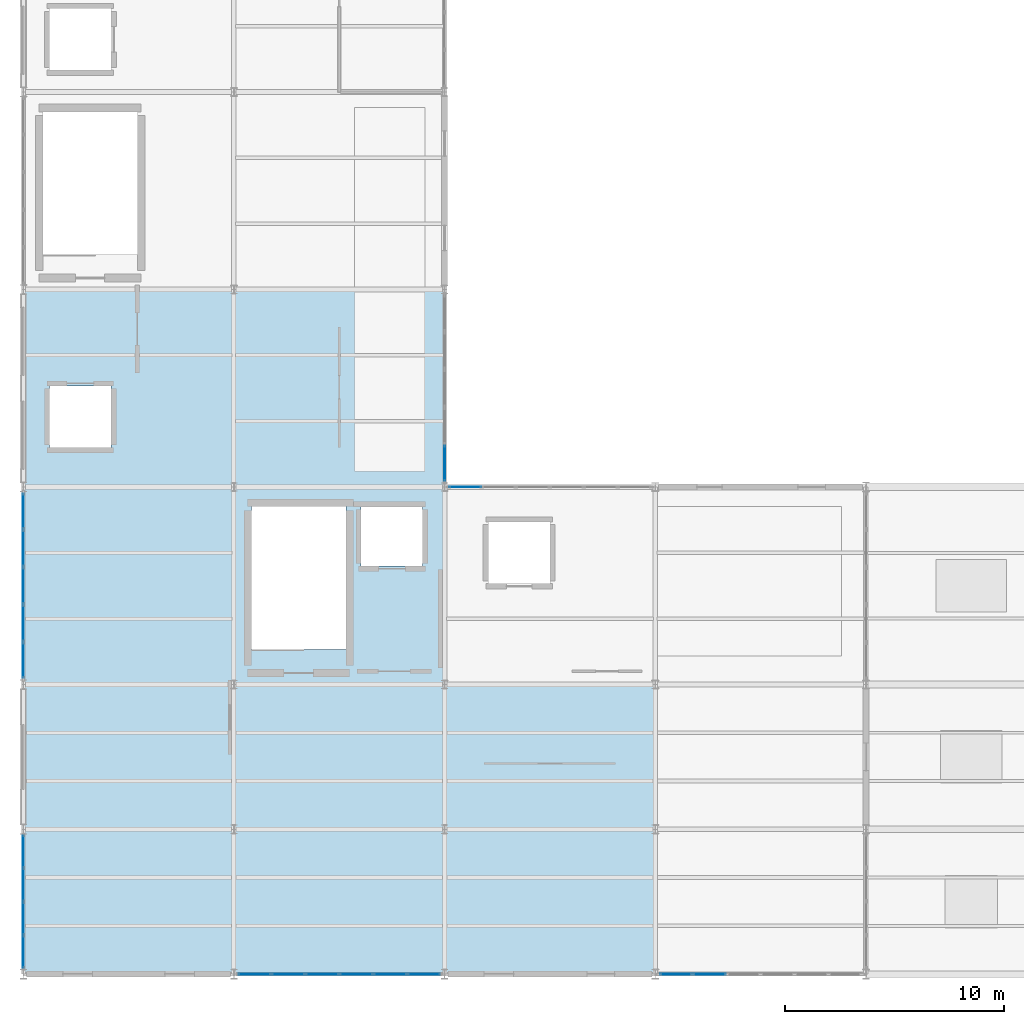
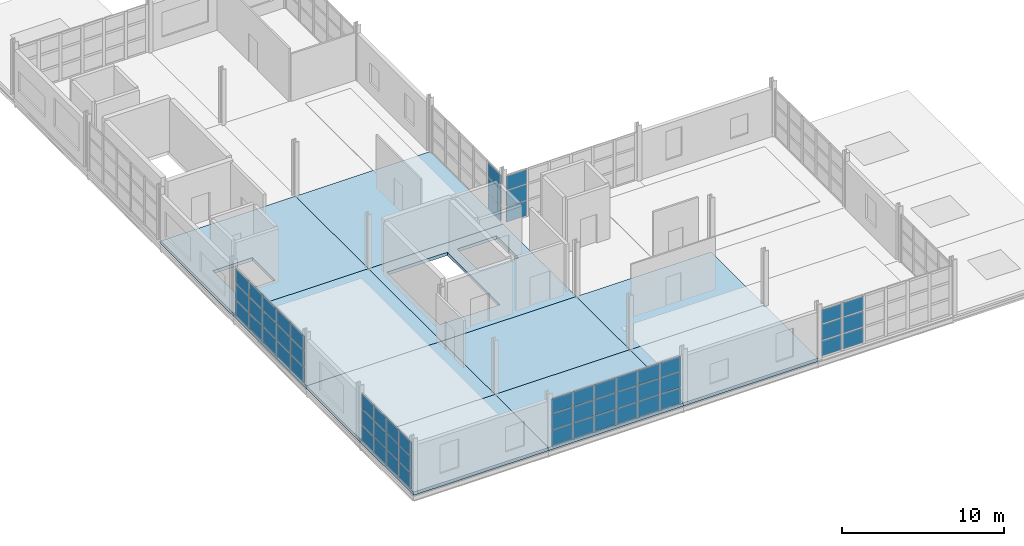
# One storey, part 10 of 15: 57 plates, 10 slabs, 6 elements without a shape of their own.
"""IFC4 building model written with IfcOpenShell, lengths in metres."""

from ifc_helpers import new_model, si_unit, direction, frame, origin, origin_2d, place, context, subcontext, project, spatial, polyline, rectangle, outline, extrude, material, layer, layer_set, type_object, element, aggregate, save


model = new_model("IFC4")

# Units and contexts
model_context = context("Model", 3, precision=1e-05, world=origin(), true_north=direction((0.0, 1.0)))
body_context = subcontext(model_context, "Body", "Model", "MODEL_VIEW")
ifc_project = project(units=[si_unit("LENGTHUNIT", "METRE"), si_unit("AREAUNIT", "SQUARE_METRE"), si_unit("VOLUMEUNIT", "CUBIC_METRE"), si_unit("PLANEANGLEUNIT", "RADIAN"), si_unit("MASSUNIT", "GRAM", prefix="KILO")], contexts=[model_context])

# Site, building, storey
site_placement = place(None, origin())
site = spatial("IfcSite", under=ifc_project, at=site_placement, CompositionType="ELEMENT")
building_placement = place(site_placement, origin())
building = spatial("IfcBuilding", under=site, at=building_placement, Name="Zarnetskaya Central Station", CompositionType="ELEMENT")
storey_placement = place(building_placement, frame((0.0, 0.0, 22.800048828125)))
storey = spatial("IfcBuildingStorey", under=building, at=storey_placement, Name="L05", CompositionType="ELEMENT", Elevation=22.800048828125)

# Curtain wall, plates
ifc_material_1 = material(Name="Low-E insulated glass", Category="glass")
ifc_layer_1 = layer(ifc_material_1, 0.1640625, Name="Low-E insulated glass", Category="glass")
ifc_layer_set_1 = layer_set([ifc_layer_1], Name="Low-E insulated glass")
curtain_wall_type_1 = type_object("IfcCurtainWallType", Name="CW-SYS-07", PredefinedType="USERDEFINED", material=ifc_layer_set_1)
curtain_wall_1_placement = place(storey_placement, origin())
curtain_wall_1 = element("IfcCurtainWall", 1, at=curtain_wall_1_placement, inside=storey, type_object=curtain_wall_type_1, Name="Curtain wall CW-L05-072", ObjectType="CURTAIN WALL", PredefinedType="USERDEFINED")
ifc_layer_2 = layer(ifc_material_1, 0.035888671875, Name="Low-E insulated glass", Category="glass")
ifc_layer_set_2 = layer_set([ifc_layer_2], Name="Low-E insulated glass")
plate_type_1 = type_object("IfcPlateType", Name="CW-PAN-36", PredefinedType="CURTAIN_PANEL", material=ifc_layer_set_2)
plate_1_placement = place(storey_placement, frame((31.27490234375, 0.0, 0.080078125), z_axis=(0.0, 0.0, 1.0), x_axis=(-1.0, 0.0, 0.0)))
plate_1 = element("IfcPlate", 2, at=plate_1_placement, type_object=plate_type_1, Name="CW-06 panel 5.1", PredefinedType="CURTAIN_PANEL", context=body_context, shape_type="SweptSolid", body=[
    extrude(rectangle(XDim=1.469970703125, YDim=0.035888671875, at=origin_2d()), origin(), (0.0, 0.0, 1.0), 1.117919921875),
])
plate_2_placement = place(storey_placement, frame((31.27490234375, 0.0, 1.27783203125), z_axis=(0.0, 0.0, 1.0), x_axis=(-1.0, 0.0, 0.0)))
plate_2 = element("IfcPlate", 3, at=plate_2_placement, type_object=plate_type_1, Name="CW-06 panel 5.2", PredefinedType="CURTAIN_PANEL", context=body_context, shape_type="SweptSolid", body=[
    extrude(rectangle(XDim=1.469970703125, YDim=0.035888671875, at=origin_2d()), origin(), (0.0, 0.0, 1.0), 1.156982421875),
])
plate_3_placement = place(storey_placement, frame((31.27490234375, 0.0, 2.514892578125), z_axis=(0.0, 0.0, 1.0), x_axis=(-1.0, 0.0, 0.0)))
plate_3 = element("IfcPlate", 4, at=plate_3_placement, type_object=plate_type_1, Name="CW-06 panel 5.3", PredefinedType="CURTAIN_PANEL", context=body_context, shape_type="SweptSolid", body=[
    extrude(rectangle(XDim=1.469970703125, YDim=0.035888671875, at=origin_2d()), origin(), (0.0, 0.0, 1.0), 1.044921875),
])
plate_4_placement = place(storey_placement, frame((29.7451171875, 0.0, 0.080078125), z_axis=(0.0, 0.0, 1.0), x_axis=(-1.0, 0.0, 0.0)))
plate_4 = element("IfcPlate", 5, at=plate_4_placement, type_object=plate_type_1, Name="CW-06 panel 6.1", PredefinedType="CURTAIN_PANEL", context=body_context, shape_type="SweptSolid", body=[
    extrude(rectangle(XDim=1.429931640625, YDim=0.035888671875, at=origin_2d()), origin(), (0.0, 0.0, 1.0), 1.117919921875),
])
plate_5_placement = place(storey_placement, frame((29.7451171875, 0.0, 1.27783203125), z_axis=(0.0, 0.0, 1.0), x_axis=(-1.0, 0.0, 0.0)))
plate_5 = element("IfcPlate", 6, at=plate_5_placement, type_object=plate_type_1, Name="CW-06 panel 6.2", PredefinedType="CURTAIN_PANEL", context=body_context, shape_type="SweptSolid", body=[
    extrude(rectangle(XDim=1.429931640625, YDim=0.035888671875, at=origin_2d()), origin(), (0.0, 0.0, 1.0), 1.156982421875),
])
plate_6_placement = place(storey_placement, frame((29.7451171875, 0.0, 2.514892578125), z_axis=(0.0, 0.0, 1.0), x_axis=(-1.0, 0.0, 0.0)))
plate_6 = element("IfcPlate", 7, at=plate_6_placement, type_object=plate_type_1, Name="CW-06 panel 6.3", PredefinedType="CURTAIN_PANEL", context=body_context, shape_type="SweptSolid", body=[
    extrude(rectangle(XDim=1.429931640625, YDim=0.035888671875, at=origin_2d()), origin(), (0.0, 0.0, 1.0), 1.044921875),
])
aggregate(curtain_wall_1, [plate_1, plate_2, plate_3, plate_4, plate_5, plate_6])

curtain_wall_2_placement = place(storey_placement, origin())
curtain_wall_2 = element("IfcCurtainWall", 8, at=curtain_wall_2_placement, inside=storey, type_object=curtain_wall_type_1, Name="Curtain wall CW-L05-063", ObjectType="CURTAIN WALL", PredefinedType="USERDEFINED")
ifc_layer_3 = layer(ifc_material_1, 0.0400390625, Name="Low-E insulated glass", Category="glass")
ifc_layer_set_3 = layer_set([ifc_layer_3], Name="Low-E insulated glass")
plate_type_2 = type_object("IfcPlateType", Name="CW-PAN-40", PredefinedType="CURTAIN_PANEL", material=ifc_layer_set_3)
plate_7_placement = place(storey_placement, frame((0.0, 1.01123046875, 0.06982421875), z_axis=(0.0, 0.0, 1.0), x_axis=(0.0, 1.0, 0.0)))
plate_7 = element("IfcPlate", 9, at=plate_7_placement, type_object=plate_type_2, Name="CW-06 panel 1.1", PredefinedType="CURTAIN_PANEL", context=body_context, shape_type="SweptSolid", body=[
    extrude(rectangle(XDim=1.4326171875, YDim=0.0400390625, at=origin_2d()), origin(), (0.0, 0.0, 1.0), 1.133056640625),
])
plate_8_placement = place(storey_placement, frame((0.0, 1.01123046875, 1.27294921875), z_axis=(0.0, 0.0, 1.0), x_axis=(0.0, 1.0, 0.0)))
plate_8 = element("IfcPlate", 10, at=plate_8_placement, type_object=plate_type_2, Name="CW-06 panel 1.2", PredefinedType="CURTAIN_PANEL", context=body_context, shape_type="SweptSolid", body=[
    extrude(rectangle(XDim=1.4326171875, YDim=0.0400390625, at=origin_2d()), origin(), (0.0, 0.0, 1.0), 1.1669921875),
])
plate_9_placement = place(storey_placement, frame((0.0, 1.01123046875, 2.510009765625), z_axis=(0.0, 0.0, 1.0), x_axis=(0.0, 1.0, 0.0)))
plate_9 = element("IfcPlate", 11, at=plate_9_placement, type_object=plate_type_2, Name="CW-06 panel 1.3", PredefinedType="CURTAIN_PANEL", context=body_context, shape_type="SweptSolid", body=[
    extrude(rectangle(XDim=1.4326171875, YDim=0.0400390625, at=origin_2d()), origin(), (0.0, 0.0, 1.0), 1.06005859375),
])
plate_10_placement = place(storey_placement, frame((0.0, 2.53125, 0.06982421875), z_axis=(0.0, 0.0, 1.0), x_axis=(0.0, 1.0, 0.0)))
plate_10 = element("IfcPlate", 12, at=plate_10_placement, type_object=plate_type_2, Name="CW-06 panel 2.1", PredefinedType="CURTAIN_PANEL", context=body_context, shape_type="SweptSolid", body=[
    extrude(rectangle(XDim=1.467529296875, YDim=0.0400390625, at=origin_2d()), origin(), (0.0, 0.0, 1.0), 1.133056640625),
])
plate_11_placement = place(storey_placement, frame((0.0, 2.53125, 1.27294921875), z_axis=(0.0, 0.0, 1.0), x_axis=(0.0, 1.0, 0.0)))
plate_11 = element("IfcPlate", 13, at=plate_11_placement, type_object=plate_type_2, Name="CW-06 panel 2.2", PredefinedType="CURTAIN_PANEL", context=body_context, shape_type="SweptSolid", body=[
    extrude(rectangle(XDim=1.467529296875, YDim=0.0400390625, at=origin_2d()), origin(), (0.0, 0.0, 1.0), 1.1669921875),
])
plate_12_placement = place(storey_placement, frame((0.0, 2.53125, 2.510009765625), z_axis=(0.0, 0.0, 1.0), x_axis=(0.0, 1.0, 0.0)))
plate_12 = element("IfcPlate", 14, at=plate_12_placement, type_object=plate_type_2, Name="CW-06 panel 2.3", PredefinedType="CURTAIN_PANEL", context=body_context, shape_type="SweptSolid", body=[
    extrude(rectangle(XDim=1.467529296875, YDim=0.0400390625, at=origin_2d()), origin(), (0.0, 0.0, 1.0), 1.06005859375),
])
plate_13_placement = place(storey_placement, frame((0.0, 4.06884765625, 0.06982421875), z_axis=(0.0, 0.0, 1.0), x_axis=(0.0, 1.0, 0.0)))
plate_13 = element("IfcPlate", 15, at=plate_13_placement, type_object=plate_type_2, Name="CW-06 panel 3.1", PredefinedType="CURTAIN_PANEL", context=body_context, shape_type="SweptSolid", body=[
    extrude(rectangle(XDim=1.467529296875, YDim=0.0400390625, at=origin_2d()), origin(), (0.0, 0.0, 1.0), 1.133056640625),
])
plate_14_placement = place(storey_placement, frame((0.0, 4.06884765625, 1.27294921875), z_axis=(0.0, 0.0, 1.0), x_axis=(0.0, 1.0, 0.0)))
plate_14 = element("IfcPlate", 16, at=plate_14_placement, type_object=plate_type_2, Name="CW-06 panel 3.2", PredefinedType="CURTAIN_PANEL", context=body_context, shape_type="SweptSolid", body=[
    extrude(rectangle(XDim=1.467529296875, YDim=0.0400390625, at=origin_2d()), origin(), (0.0, 0.0, 1.0), 1.1669921875),
])
plate_15_placement = place(storey_placement, frame((0.0, 4.06884765625, 2.510009765625), z_axis=(0.0, 0.0, 1.0), x_axis=(0.0, 1.0, 0.0)))
plate_15 = element("IfcPlate", 17, at=plate_15_placement, type_object=plate_type_2, Name="CW-06 panel 3.3", PredefinedType="CURTAIN_PANEL", context=body_context, shape_type="SweptSolid", body=[
    extrude(rectangle(XDim=1.467529296875, YDim=0.0400390625, at=origin_2d()), origin(), (0.0, 0.0, 1.0), 1.06005859375),
])
plate_16_placement = place(storey_placement, frame((0.0, 5.5888671875, 0.06982421875), z_axis=(0.0, 0.0, 1.0), x_axis=(0.0, 1.0, 0.0)))
plate_16 = element("IfcPlate", 18, at=plate_16_placement, type_object=plate_type_2, Name="CW-06 panel 4.1", PredefinedType="CURTAIN_PANEL", context=body_context, shape_type="SweptSolid", body=[
    extrude(rectangle(XDim=1.4326171875, YDim=0.0400390625, at=origin_2d()), origin(), (0.0, 0.0, 1.0), 1.133056640625),
])
plate_17_placement = place(storey_placement, frame((0.0, 5.5888671875, 1.27294921875), z_axis=(0.0, 0.0, 1.0), x_axis=(0.0, 1.0, 0.0)))
plate_17 = element("IfcPlate", 19, at=plate_17_placement, type_object=plate_type_2, Name="CW-06 panel 4.2", PredefinedType="CURTAIN_PANEL", context=body_context, shape_type="SweptSolid", body=[
    extrude(rectangle(XDim=1.4326171875, YDim=0.0400390625, at=origin_2d()), origin(), (0.0, 0.0, 1.0), 1.1669921875),
])
plate_18_placement = place(storey_placement, frame((0.0, 5.5888671875, 2.510009765625), z_axis=(0.0, 0.0, 1.0), x_axis=(0.0, 1.0, 0.0)))
plate_18 = element("IfcPlate", 20, at=plate_18_placement, type_object=plate_type_2, Name="CW-06 panel 4.3", PredefinedType="CURTAIN_PANEL", context=body_context, shape_type="SweptSolid", body=[
    extrude(rectangle(XDim=1.4326171875, YDim=0.0400390625, at=origin_2d()), origin(), (0.0, 0.0, 1.0), 1.06005859375),
])
aggregate(curtain_wall_2, [plate_7, plate_8, plate_9, plate_10, plate_11, plate_12, plate_13, plate_14, plate_15, plate_16, plate_17, plate_18])

ifc_layer_4 = layer(ifc_material_1, 0.172119140625, Name="Low-E insulated glass", Category="glass")
ifc_layer_set_4 = layer_set([ifc_layer_4], Name="Low-E insulated glass")
curtain_wall_type_2 = type_object("IfcCurtainWallType", Name="CW-SYS-09", PredefinedType="USERDEFINED", material=ifc_layer_set_4)
curtain_wall_3_placement = place(storey_placement, origin())
curtain_wall_3 = element("IfcCurtainWall", 21, at=curtain_wall_3_placement, inside=storey, type_object=curtain_wall_type_2, Name="Curtain wall CW-L05-068", ObjectType="CURTAIN WALL", PredefinedType="USERDEFINED")
plate_19_placement = place(storey_placement, frame((19.199951171875, 23.280029296875, 0.079833984375), z_axis=(0.0, 0.0, 1.0), x_axis=(0.0, -1.0, 0.0)))
plate_19 = element("IfcPlate", 22, at=plate_19_placement, type_object=plate_type_2, Name="CW-07 panel 5.1", PredefinedType="CURTAIN_PANEL", context=body_context, shape_type="SweptSolid", body=[
    extrude(rectangle(XDim=1.60009765625, YDim=0.0400390625, at=origin_2d()), origin(), (0.0, 0.0, 1.0), 1.10400390625),
])
plate_20_placement = place(storey_placement, frame((19.199951171875, 23.280029296875, 1.263916015625), z_axis=(0.0, 0.0, 1.0), x_axis=(0.0, -1.0, 0.0)))
plate_20 = element("IfcPlate", 23, at=plate_20_placement, type_object=plate_type_2, Name="CW-07 panel 5.2", PredefinedType="CURTAIN_PANEL", context=body_context, shape_type="SweptSolid", body=[
    extrude(rectangle(XDim=1.60009765625, YDim=0.0400390625, at=origin_2d()), origin(), (0.0, 0.0, 1.0), 1.14404296875),
])
plate_21_placement = place(storey_placement, frame((19.199951171875, 23.280029296875, 2.48779296875), z_axis=(0.0, 0.0, 1.0), x_axis=(0.0, -1.0, 0.0)))
plate_21 = element("IfcPlate", 24, at=plate_21_placement, type_object=plate_type_2, Name="CW-07 panel 5.3", PredefinedType="CURTAIN_PANEL", context=body_context, shape_type="SweptSolid", body=[
    extrude(rectangle(XDim=1.60009765625, YDim=0.0400390625, at=origin_2d()), origin(), (0.0, 0.0, 1.0), 1.031982421875),
])
aggregate(curtain_wall_3, [plate_19, plate_20, plate_21])

curtain_wall_4_placement = place(storey_placement, origin())
curtain_wall_4 = element("IfcCurtainWall", 25, at=curtain_wall_4_placement, inside=storey, type_object=curtain_wall_type_2, Name="Curtain wall CW-L05-073", ObjectType="CURTAIN WALL", PredefinedType="USERDEFINED")
plate_22_placement = place(storey_placement, frame((18.257568359375, 0.0, 0.06982421875), z_axis=(0.0, 0.0, 1.0), x_axis=(-1.0, 0.0, 0.0)))
plate_22 = element("IfcPlate", 26, at=plate_22_placement, type_object=plate_type_2, Name="CW-07 panel 1.1", PredefinedType="CURTAIN_PANEL", context=body_context, shape_type="SweptSolid", body=[
    extrude(rectangle(XDim=1.445068359375, YDim=0.0400390625, at=origin_2d()), origin(), (0.0, 0.0, 1.0), 1.133056640625),
])
plate_23_placement = place(storey_placement, frame((18.257568359375, 0.0, 1.27294921875), z_axis=(0.0, 0.0, 1.0), x_axis=(-1.0, 0.0, 0.0)))
plate_23 = element("IfcPlate", 27, at=plate_23_placement, type_object=plate_type_2, Name="CW-07 panel 1.2", PredefinedType="CURTAIN_PANEL", context=body_context, shape_type="SweptSolid", body=[
    extrude(rectangle(XDim=1.445068359375, YDim=0.0400390625, at=origin_2d()), origin(), (0.0, 0.0, 1.0), 1.1669921875),
])
plate_24_placement = place(storey_placement, frame((18.257568359375, 0.0, 2.510009765625), z_axis=(0.0, 0.0, 1.0), x_axis=(-1.0, 0.0, 0.0)))
plate_24 = element("IfcPlate", 28, at=plate_24_placement, type_object=plate_type_2, Name="CW-07 panel 1.3", PredefinedType="CURTAIN_PANEL", context=body_context, shape_type="SweptSolid", body=[
    extrude(rectangle(XDim=1.445068359375, YDim=0.0400390625, at=origin_2d()), origin(), (0.0, 0.0, 1.0), 1.06005859375),
])
plate_25_placement = place(storey_placement, frame((16.72509765625, 0.0, 0.06982421875), z_axis=(0.0, 0.0, 1.0), x_axis=(-1.0, 0.0, 0.0)))
plate_25 = element("IfcPlate", 29, at=plate_25_placement, type_object=plate_type_2, Name="CW-07 panel 2.1", PredefinedType="CURTAIN_PANEL", context=body_context, shape_type="SweptSolid", body=[
    extrude(rectangle(XDim=1.47998046875, YDim=0.0400390625, at=origin_2d()), origin(), (0.0, 0.0, 1.0), 1.133056640625),
])
plate_26_placement = place(storey_placement, frame((16.72509765625, 0.0, 1.27294921875), z_axis=(0.0, 0.0, 1.0), x_axis=(-1.0, 0.0, 0.0)))
plate_26 = element("IfcPlate", 30, at=plate_26_placement, type_object=plate_type_2, Name="CW-07 panel 2.2", PredefinedType="CURTAIN_PANEL", context=body_context, shape_type="SweptSolid", body=[
    extrude(rectangle(XDim=1.47998046875, YDim=0.0400390625, at=origin_2d()), origin(), (0.0, 0.0, 1.0), 1.1669921875),
])
plate_27_placement = place(storey_placement, frame((16.72509765625, 0.0, 2.510009765625), z_axis=(0.0, 0.0, 1.0), x_axis=(-1.0, 0.0, 0.0)))
plate_27 = element("IfcPlate", 31, at=plate_27_placement, type_object=plate_type_2, Name="CW-07 panel 2.3", PredefinedType="CURTAIN_PANEL", context=body_context, shape_type="SweptSolid", body=[
    extrude(rectangle(XDim=1.47998046875, YDim=0.0400390625, at=origin_2d()), origin(), (0.0, 0.0, 1.0), 1.06005859375),
])
plate_28_placement = place(storey_placement, frame((15.175048828125, 0.0, 0.06982421875), z_axis=(0.0, 0.0, 1.0), x_axis=(-1.0, 0.0, 0.0)))
plate_28 = element("IfcPlate", 32, at=plate_28_placement, type_object=plate_type_2, Name="CW-07 panel 3.1", PredefinedType="CURTAIN_PANEL", context=body_context, shape_type="SweptSolid", body=[
    extrude(rectangle(XDim=1.47998046875, YDim=0.0400390625, at=origin_2d()), origin(), (0.0, 0.0, 1.0), 1.133056640625),
])
plate_29_placement = place(storey_placement, frame((15.175048828125, 0.0, 1.27294921875), z_axis=(0.0, 0.0, 1.0), x_axis=(-1.0, 0.0, 0.0)))
plate_29 = element("IfcPlate", 33, at=plate_29_placement, type_object=plate_type_2, Name="CW-07 panel 3.2", PredefinedType="CURTAIN_PANEL", context=body_context, shape_type="SweptSolid", body=[
    extrude(rectangle(XDim=1.47998046875, YDim=0.0400390625, at=origin_2d()), origin(), (0.0, 0.0, 1.0), 1.1669921875),
])
plate_30_placement = place(storey_placement, frame((15.175048828125, 0.0, 2.510009765625), z_axis=(0.0, 0.0, 1.0), x_axis=(-1.0, 0.0, 0.0)))
plate_30 = element("IfcPlate", 34, at=plate_30_placement, type_object=plate_type_2, Name="CW-07 panel 3.3", PredefinedType="CURTAIN_PANEL", context=body_context, shape_type="SweptSolid", body=[
    extrude(rectangle(XDim=1.47998046875, YDim=0.0400390625, at=origin_2d()), origin(), (0.0, 0.0, 1.0), 1.06005859375),
])
plate_31_placement = place(storey_placement, frame((13.625, 0.0, 0.06982421875), z_axis=(0.0, 0.0, 1.0), x_axis=(-1.0, 0.0, 0.0)))
plate_31 = element("IfcPlate", 35, at=plate_31_placement, type_object=plate_type_2, Name="CW-07 panel 4.1", PredefinedType="CURTAIN_PANEL", context=body_context, shape_type="SweptSolid", body=[
    extrude(rectangle(XDim=1.47998046875, YDim=0.0400390625, at=origin_2d()), origin(), (0.0, 0.0, 1.0), 1.133056640625),
])
plate_32_placement = place(storey_placement, frame((13.625, 0.0, 1.27294921875), z_axis=(0.0, 0.0, 1.0), x_axis=(-1.0, 0.0, 0.0)))
plate_32 = element("IfcPlate", 36, at=plate_32_placement, type_object=plate_type_2, Name="CW-07 panel 4.2", PredefinedType="CURTAIN_PANEL", context=body_context, shape_type="SweptSolid", body=[
    extrude(rectangle(XDim=1.47998046875, YDim=0.0400390625, at=origin_2d()), origin(), (0.0, 0.0, 1.0), 1.1669921875),
])
plate_33_placement = place(storey_placement, frame((13.625, 0.0, 2.510009765625), z_axis=(0.0, 0.0, 1.0), x_axis=(-1.0, 0.0, 0.0)))
plate_33 = element("IfcPlate", 37, at=plate_33_placement, type_object=plate_type_2, Name="CW-07 panel 4.3", PredefinedType="CURTAIN_PANEL", context=body_context, shape_type="SweptSolid", body=[
    extrude(rectangle(XDim=1.47998046875, YDim=0.0400390625, at=origin_2d()), origin(), (0.0, 0.0, 1.0), 1.06005859375),
])
plate_34_placement = place(storey_placement, frame((12.074951171875, 0.0, 0.06982421875), z_axis=(0.0, 0.0, 1.0), x_axis=(-1.0, 0.0, 0.0)))
plate_34 = element("IfcPlate", 38, at=plate_34_placement, type_object=plate_type_2, Name="CW-07 panel 5.1", PredefinedType="CURTAIN_PANEL", context=body_context, shape_type="SweptSolid", body=[
    extrude(rectangle(XDim=1.47998046875, YDim=0.0400390625, at=origin_2d()), origin(), (0.0, 0.0, 1.0), 1.133056640625),
])
plate_35_placement = place(storey_placement, frame((12.074951171875, 0.0, 1.27294921875), z_axis=(0.0, 0.0, 1.0), x_axis=(-1.0, 0.0, 0.0)))
plate_35 = element("IfcPlate", 39, at=plate_35_placement, type_object=plate_type_2, Name="CW-07 panel 5.2", PredefinedType="CURTAIN_PANEL", context=body_context, shape_type="SweptSolid", body=[
    extrude(rectangle(XDim=1.47998046875, YDim=0.0400390625, at=origin_2d()), origin(), (0.0, 0.0, 1.0), 1.1669921875),
])
plate_36_placement = place(storey_placement, frame((12.074951171875, 0.0, 2.510009765625), z_axis=(0.0, 0.0, 1.0), x_axis=(-1.0, 0.0, 0.0)))
plate_36 = element("IfcPlate", 40, at=plate_36_placement, type_object=plate_type_2, Name="CW-07 panel 5.3", PredefinedType="CURTAIN_PANEL", context=body_context, shape_type="SweptSolid", body=[
    extrude(rectangle(XDim=1.47998046875, YDim=0.0400390625, at=origin_2d()), origin(), (0.0, 0.0, 1.0), 1.06005859375),
])
plate_37_placement = place(storey_placement, frame((10.54248046875, 0.0, 0.06982421875), z_axis=(0.0, 0.0, 1.0), x_axis=(-1.0, 0.0, 0.0)))
plate_37 = element("IfcPlate", 41, at=plate_37_placement, type_object=plate_type_2, Name="CW-07 panel 6.1", PredefinedType="CURTAIN_PANEL", context=body_context, shape_type="SweptSolid", body=[
    extrude(rectangle(XDim=1.445068359375, YDim=0.0400390625, at=origin_2d()), origin(), (0.0, 0.0, 1.0), 1.133056640625),
])
plate_38_placement = place(storey_placement, frame((10.54248046875, 0.0, 1.27294921875), z_axis=(0.0, 0.0, 1.0), x_axis=(-1.0, 0.0, 0.0)))
plate_38 = element("IfcPlate", 42, at=plate_38_placement, type_object=plate_type_2, Name="CW-07 panel 6.2", PredefinedType="CURTAIN_PANEL", context=body_context, shape_type="SweptSolid", body=[
    extrude(rectangle(XDim=1.445068359375, YDim=0.0400390625, at=origin_2d()), origin(), (0.0, 0.0, 1.0), 1.1669921875),
])
plate_39_placement = place(storey_placement, frame((10.54248046875, 0.0, 2.510009765625), z_axis=(0.0, 0.0, 1.0), x_axis=(-1.0, 0.0, 0.0)))
plate_39 = element("IfcPlate", 43, at=plate_39_placement, type_object=plate_type_2, Name="CW-07 panel 6.3", PredefinedType="CURTAIN_PANEL", context=body_context, shape_type="SweptSolid", body=[
    extrude(rectangle(XDim=1.445068359375, YDim=0.0400390625, at=origin_2d()), origin(), (0.0, 0.0, 1.0), 1.06005859375),
])
aggregate(curtain_wall_4, [plate_22, plate_23, plate_24, plate_25, plate_26, plate_27, plate_28, plate_29, plate_30, plate_31, plate_32, plate_33, plate_34, plate_35, plate_36, plate_37, plate_38, plate_39])

curtain_wall_5_placement = place(storey_placement, origin())
curtain_wall_5 = element("IfcCurtainWall", 44, at=curtain_wall_5_placement, inside=storey, type_object=curtain_wall_type_2, Name="Curtain wall CW-L05-064", ObjectType="CURTAIN WALL", PredefinedType="USERDEFINED")
ifc_layer_5 = layer(ifc_material_1, 0.0439453125, Name="Low-E insulated glass", Category="glass")
ifc_layer_set_5 = layer_set([ifc_layer_5], Name="Low-E insulated glass")
plate_type_3 = type_object("IfcPlateType", Name="CW-PAN-44", PredefinedType="CURTAIN_PANEL", material=ifc_layer_set_5)
plate_40_placement = place(storey_placement, frame((0.0, 14.300048828125, 0.080078125), z_axis=(0.0, 0.0, 1.0), x_axis=(0.0, 1.0, 0.0)))
plate_40 = element("IfcPlate", 45, at=plate_40_placement, type_object=plate_type_3, Name="CW-07 panel 1.1", PredefinedType="CURTAIN_PANEL", context=body_context, shape_type="SweptSolid", body=[
    extrude(rectangle(XDim=1.590087890625, YDim=0.0439453125, at=origin_2d()), origin(), (0.0, 0.0, 1.0), 1.117919921875),
])
plate_41_placement = place(storey_placement, frame((0.0, 14.300048828125, 1.27783203125), z_axis=(0.0, 0.0, 1.0), x_axis=(0.0, 1.0, 0.0)))
plate_41 = element("IfcPlate", 46, at=plate_41_placement, type_object=plate_type_3, Name="CW-07 panel 1.2", PredefinedType="CURTAIN_PANEL", context=body_context, shape_type="SweptSolid", body=[
    extrude(rectangle(XDim=1.590087890625, YDim=0.0439453125, at=origin_2d()), origin(), (0.0, 0.0, 1.0), 1.156982421875),
])
plate_42_placement = place(storey_placement, frame((0.0, 14.300048828125, 2.514892578125), z_axis=(0.0, 0.0, 1.0), x_axis=(0.0, 1.0, 0.0)))
plate_42 = element("IfcPlate", 47, at=plate_42_placement, type_object=plate_type_3, Name="CW-07 panel 1.3", PredefinedType="CURTAIN_PANEL", context=body_context, shape_type="SweptSolid", body=[
    extrude(rectangle(XDim=1.590087890625, YDim=0.0439453125, at=origin_2d()), origin(), (0.0, 0.0, 1.0), 1.044921875),
])
plate_43_placement = place(storey_placement, frame((0.0, 15.989990234375, 0.080078125), z_axis=(0.0, 0.0, 1.0), x_axis=(0.0, 1.0, 0.0)))
plate_43 = element("IfcPlate", 48, at=plate_43_placement, type_object=plate_type_3, Name="CW-07 panel 2.1", PredefinedType="CURTAIN_PANEL", context=body_context, shape_type="SweptSolid", body=[
    extrude(rectangle(XDim=1.6298828125, YDim=0.0439453125, at=origin_2d()), origin(), (0.0, 0.0, 1.0), 1.117919921875),
])
plate_44_placement = place(storey_placement, frame((0.0, 15.989990234375, 1.27783203125), z_axis=(0.0, 0.0, 1.0), x_axis=(0.0, 1.0, 0.0)))
plate_44 = element("IfcPlate", 49, at=plate_44_placement, type_object=plate_type_3, Name="CW-07 panel 2.2", PredefinedType="CURTAIN_PANEL", context=body_context, shape_type="SweptSolid", body=[
    extrude(rectangle(XDim=1.6298828125, YDim=0.0439453125, at=origin_2d()), origin(), (0.0, 0.0, 1.0), 1.156982421875),
])
plate_45_placement = place(storey_placement, frame((0.0, 15.989990234375, 2.514892578125), z_axis=(0.0, 0.0, 1.0), x_axis=(0.0, 1.0, 0.0)))
plate_45 = element("IfcPlate", 50, at=plate_45_placement, type_object=plate_type_3, Name="CW-07 panel 2.3", PredefinedType="CURTAIN_PANEL", context=body_context, shape_type="SweptSolid", body=[
    extrude(rectangle(XDim=1.6298828125, YDim=0.0439453125, at=origin_2d()), origin(), (0.0, 0.0, 1.0), 1.044921875),
])
plate_46_placement = place(storey_placement, frame((0.0, 17.699951171875, 0.080078125), z_axis=(0.0, 0.0, 1.0), x_axis=(0.0, 1.0, 0.0)))
plate_46 = element("IfcPlate", 51, at=plate_46_placement, type_object=plate_type_3, Name="CW-07 panel 3.1", PredefinedType="CURTAIN_PANEL", context=body_context, shape_type="SweptSolid", body=[
    extrude(rectangle(XDim=1.6298828125, YDim=0.0439453125, at=origin_2d()), origin(), (0.0, 0.0, 1.0), 1.117919921875),
])
plate_47_placement = place(storey_placement, frame((0.0, 17.699951171875, 1.27783203125), z_axis=(0.0, 0.0, 1.0), x_axis=(0.0, 1.0, 0.0)))
plate_47 = element("IfcPlate", 52, at=plate_47_placement, type_object=plate_type_3, Name="CW-07 panel 3.2", PredefinedType="CURTAIN_PANEL", context=body_context, shape_type="SweptSolid", body=[
    extrude(rectangle(XDim=1.6298828125, YDim=0.0439453125, at=origin_2d()), origin(), (0.0, 0.0, 1.0), 1.156982421875),
])
plate_48_placement = place(storey_placement, frame((0.0, 17.699951171875, 2.514892578125), z_axis=(0.0, 0.0, 1.0), x_axis=(0.0, 1.0, 0.0)))
plate_48 = element("IfcPlate", 53, at=plate_48_placement, type_object=plate_type_3, Name="CW-07 panel 3.3", PredefinedType="CURTAIN_PANEL", context=body_context, shape_type="SweptSolid", body=[
    extrude(rectangle(XDim=1.6298828125, YDim=0.0439453125, at=origin_2d()), origin(), (0.0, 0.0, 1.0), 1.044921875),
])
plate_49_placement = place(storey_placement, frame((0.0, 19.409912109375, 0.080078125), z_axis=(0.0, 0.0, 1.0), x_axis=(0.0, 1.0, 0.0)))
plate_49 = element("IfcPlate", 54, at=plate_49_placement, type_object=plate_type_3, Name="CW-07 panel 4.1", PredefinedType="CURTAIN_PANEL", context=body_context, shape_type="SweptSolid", body=[
    extrude(rectangle(XDim=1.6298828125, YDim=0.0439453125, at=origin_2d()), origin(), (0.0, 0.0, 1.0), 1.117919921875),
])
plate_50_placement = place(storey_placement, frame((0.0, 19.409912109375, 1.27783203125), z_axis=(0.0, 0.0, 1.0), x_axis=(0.0, 1.0, 0.0)))
plate_50 = element("IfcPlate", 55, at=plate_50_placement, type_object=plate_type_3, Name="CW-07 panel 4.2", PredefinedType="CURTAIN_PANEL", context=body_context, shape_type="SweptSolid", body=[
    extrude(rectangle(XDim=1.6298828125, YDim=0.0439453125, at=origin_2d()), origin(), (0.0, 0.0, 1.0), 1.156982421875),
])
plate_51_placement = place(storey_placement, frame((0.0, 19.409912109375, 2.514892578125), z_axis=(0.0, 0.0, 1.0), x_axis=(0.0, 1.0, 0.0)))
plate_51 = element("IfcPlate", 56, at=plate_51_placement, type_object=plate_type_3, Name="CW-07 panel 4.3", PredefinedType="CURTAIN_PANEL", context=body_context, shape_type="SweptSolid", body=[
    extrude(rectangle(XDim=1.6298828125, YDim=0.0439453125, at=origin_2d()), origin(), (0.0, 0.0, 1.0), 1.044921875),
])
plate_52_placement = place(storey_placement, frame((0.0, 21.10009765625, 0.080078125), z_axis=(0.0, 0.0, 1.0), x_axis=(0.0, 1.0, 0.0)))
plate_52 = element("IfcPlate", 57, at=plate_52_placement, type_object=plate_type_3, Name="CW-07 panel 5.1", PredefinedType="CURTAIN_PANEL", context=body_context, shape_type="SweptSolid", body=[
    extrude(rectangle(XDim=1.590087890625, YDim=0.0439453125, at=origin_2d()), origin(), (0.0, 0.0, 1.0), 1.117919921875),
])
plate_53_placement = place(storey_placement, frame((0.0, 21.10009765625, 1.27783203125), z_axis=(0.0, 0.0, 1.0), x_axis=(0.0, 1.0, 0.0)))
plate_53 = element("IfcPlate", 58, at=plate_53_placement, type_object=plate_type_3, Name="CW-07 panel 5.2", PredefinedType="CURTAIN_PANEL", context=body_context, shape_type="SweptSolid", body=[
    extrude(rectangle(XDim=1.590087890625, YDim=0.0439453125, at=origin_2d()), origin(), (0.0, 0.0, 1.0), 1.156982421875),
])
plate_54_placement = place(storey_placement, frame((0.0, 21.10009765625, 2.514892578125), z_axis=(0.0, 0.0, 1.0), x_axis=(0.0, 1.0, 0.0)))
plate_54 = element("IfcPlate", 59, at=plate_54_placement, type_object=plate_type_3, Name="CW-07 panel 5.3", PredefinedType="CURTAIN_PANEL", context=body_context, shape_type="SweptSolid", body=[
    extrude(rectangle(XDim=1.590087890625, YDim=0.0439453125, at=origin_2d()), origin(), (0.0, 0.0, 1.0), 1.044921875),
])
aggregate(curtain_wall_5, [plate_40, plate_41, plate_42, plate_43, plate_44, plate_45, plate_46, plate_47, plate_48, plate_49, plate_50, plate_51, plate_52, plate_53, plate_54])

curtain_wall_6_placement = place(storey_placement, origin())
curtain_wall_6 = element("IfcCurtainWall", 60, at=curtain_wall_6_placement, inside=storey, type_object=curtain_wall_type_1, Name="Curtain wall CW-L05-069", ObjectType="CURTAIN WALL", PredefinedType="USERDEFINED")
plate_55_placement = place(storey_placement, frame((20.142578125, 22.199951171875, 0.06982421875), z_axis=(0.0, 0.0, 1.0), x_axis=(1.0, 0.0, 0.0)))
plate_55 = element("IfcPlate", 61, at=plate_55_placement, type_object=plate_type_3, Name="CW-06 panel 1.1", PredefinedType="CURTAIN_PANEL", context=body_context, shape_type="SweptSolid", body=[
    extrude(rectangle(XDim=1.445068359375, YDim=0.0439453125, at=origin_2d()), origin(), (0.0, 0.0, 1.0), 1.118896484375),
])
plate_56_placement = place(storey_placement, frame((20.142578125, 22.199951171875, 1.2587890625), z_axis=(0.0, 0.0, 1.0), x_axis=(1.0, 0.0, 0.0)))
plate_56 = element("IfcPlate", 62, at=plate_56_placement, type_object=plate_type_3, Name="CW-06 panel 1.2", PredefinedType="CURTAIN_PANEL", context=body_context, shape_type="SweptSolid", body=[
    extrude(rectangle(XDim=1.445068359375, YDim=0.0439453125, at=origin_2d()), origin(), (0.0, 0.0, 1.0), 1.154052734375),
])
plate_57_placement = place(storey_placement, frame((20.142578125, 22.199951171875, 2.48291015625), z_axis=(0.0, 0.0, 1.0), x_axis=(1.0, 0.0, 0.0)))
plate_57 = element("IfcPlate", 63, at=plate_57_placement, type_object=plate_type_3, Name="CW-06 panel 1.3", PredefinedType="CURTAIN_PANEL", context=body_context, shape_type="SweptSolid", body=[
    extrude(rectangle(XDim=1.445068359375, YDim=0.0439453125, at=origin_2d()), origin(), (0.0, 0.0, 1.0), 1.047119140625),
])
aggregate(curtain_wall_6, [plate_55, plate_56, plate_57])

# Slabs
ifc_material_2 = material(Name="Concrete C30/37", Category="concrete")
ifc_layer_6 = layer(ifc_material_2, 0.239990234375, Name="Concrete C30/37", Category="concrete")
ifc_layer_set_6 = layer_set([ifc_layer_6], Name="Concrete C30/37")
slab_type = type_object("IfcSlabType", Name="SLAB-UPP-240", PredefinedType="FLOOR", material=ifc_layer_set_6)
slab_1_placement = place(storey_placement, frame((0.0, 0.0, -0.239990234375)))
element("IfcSlab", 64, at=slab_1_placement, inside=storey, type_object=slab_type, Name="L05 slab A-B/1-2", PredefinedType="FLOOR", context=body_context, shape_type="SweptSolid", body=[
    extrude(outline(polyline([(0.0, 0.0), (9.60009765625, 0.0), (9.60009765625, 6.60009765625), (0.0, 6.60009765625), (0.0, 0.0)])), origin(), (0.0, 0.0, 1.0), 0.239990234375),
])
slab_2_placement = place(storey_placement, frame((0.0, 0.0, -0.239990234375)))
element("IfcSlab", 65, at=slab_2_placement, inside=storey, type_object=slab_type, Name="L05 slab A-B/2-3", PredefinedType="FLOOR", context=body_context, shape_type="SweptSolid", body=[
    extrude(outline(polyline([(0.0, 6.60009765625), (9.60009765625, 6.60009765625), (9.60009765625, 13.199951171875), (0.0, 13.199951171875), (0.0, 6.60009765625)])), origin(), (0.0, 0.0, 1.0), 0.239990234375),
])
slab_3_placement = place(storey_placement, frame((0.0, 0.0, -0.239990234375)))
element("IfcSlab", 66, at=slab_3_placement, inside=storey, type_object=slab_type, Name="L05 slab A-B/3-4", PredefinedType="FLOOR", context=body_context, shape_type="SweptSolid", body=[
    extrude(outline(polyline([(0.0, 13.199951171875), (9.60009765625, 13.199951171875), (9.60009765625, 22.199951171875), (0.0, 22.199951171875), (0.0, 13.199951171875)])), origin(), (0.0, 0.0, 1.0), 0.239990234375),
])
slab_4_placement = place(storey_placement, frame((0.0, 0.0, -0.239990234375)))
element("IfcSlab", 67, at=slab_4_placement, inside=storey, type_object=slab_type, Name="L05 slab A-B/4-5", PredefinedType="FLOOR", context=body_context, shape_type="SweptSolid", body=[
    extrude(outline(polyline([(0.0, 22.199951171875), (9.60009765625, 22.199951171875), (9.60009765625, 31.199951171875), (0.0, 31.199951171875), (0.0, 22.199951171875)]), holes=[polyline([(1.199951171875, 24.0), (4.0, 24.0), (4.0, 26.800048828125), (1.199951171875, 26.800048828125), (1.199951171875, 24.0)])]), origin(), (0.0, 0.0, 1.0), 0.239990234375),
])
slab_5_placement = place(storey_placement, frame((0.0, 0.0, -0.239990234375)))
element("IfcSlab", 68, at=slab_5_placement, inside=storey, type_object=slab_type, Name="L05 slab B-C/1-2", PredefinedType="FLOOR", context=body_context, shape_type="SweptSolid", body=[
    extrude(outline(polyline([(9.60009765625, 0.0), (19.199951171875, 0.0), (19.199951171875, 6.60009765625), (9.60009765625, 6.60009765625), (9.60009765625, 0.0)])), origin(), (0.0, 0.0, 1.0), 0.239990234375),
])
slab_6_placement = place(storey_placement, frame((0.0, 0.0, -0.239990234375)))
element("IfcSlab", 69, at=slab_6_placement, inside=storey, type_object=slab_type, Name="L05 slab B-C/2-3", PredefinedType="FLOOR", context=body_context, shape_type="SweptSolid", body=[
    extrude(outline(polyline([(9.60009765625, 6.60009765625), (19.199951171875, 6.60009765625), (19.199951171875, 13.199951171875), (9.60009765625, 13.199951171875), (9.60009765625, 6.60009765625)])), origin(), (0.0, 0.0, 1.0), 0.239990234375),
])
slab_7_placement = place(storey_placement, frame((0.0, 0.0, -0.239990234375)))
element("IfcSlab", 70, at=slab_7_placement, inside=storey, type_object=slab_type, Name="L05 slab B-C/3-4", PredefinedType="FLOOR", context=body_context, shape_type="SweptSolid", body=[
    extrude(outline(polyline([(9.60009765625, 13.199951171875), (19.199951171875, 13.199951171875), (19.199951171875, 22.199951171875), (9.60009765625, 22.199951171875), (9.60009765625, 13.199951171875)]), holes=[polyline([(10.39990234375, 14.804931640625), (14.699951171875, 14.804931640625), (14.699951171875, 21.300048828125), (10.39990234375, 21.300048828125), (10.39990234375, 14.804931640625)]), polyline([(15.39990234375, 18.60009765625), (18.199951171875, 18.60009765625), (18.199951171875, 21.300048828125), (15.39990234375, 21.300048828125), (15.39990234375, 18.60009765625)])]), origin(), (0.0, 0.0, 1.0), 0.239990234375),
])
slab_8_placement = place(storey_placement, frame((0.0, 0.0, -0.239990234375)))
element("IfcSlab", 71, at=slab_8_placement, inside=storey, type_object=slab_type, Name="L05 slab B-C/4-5", PredefinedType="FLOOR", context=body_context, shape_type="SweptSolid", body=[
    extrude(outline(polyline([(9.60009765625, 22.199951171875), (19.199951171875, 22.199951171875), (19.199951171875, 31.199951171875), (9.60009765625, 31.199951171875), (9.60009765625, 22.199951171875)])), origin(), (0.0, 0.0, 1.0), 0.239990234375),
])
slab_9_placement = place(storey_placement, frame((0.0, 0.0, -0.239990234375)))
element("IfcSlab", 72, at=slab_9_placement, inside=storey, type_object=slab_type, Name="L05 slab C-D/1-2", PredefinedType="FLOOR", context=body_context, shape_type="SweptSolid", body=[
    extrude(outline(polyline([(19.199951171875, 0.0), (28.800048828125, 0.0), (28.800048828125, 6.60009765625), (19.199951171875, 6.60009765625), (19.199951171875, 0.0)])), origin(), (0.0, 0.0, 1.0), 0.239990234375),
])
slab_10_placement = place(storey_placement, frame((0.0, 0.0, -0.239990234375)))
element("IfcSlab", 73, at=slab_10_placement, inside=storey, type_object=slab_type, Name="L05 slab C-D/2-3", PredefinedType="FLOOR", context=body_context, shape_type="SweptSolid", body=[
    extrude(outline(polyline([(19.199951171875, 6.60009765625), (28.800048828125, 6.60009765625), (28.800048828125, 13.199951171875), (19.199951171875, 13.199951171875), (19.199951171875, 6.60009765625)])), origin(), (0.0, 0.0, 1.0), 0.239990234375),
])

save(model, "model.ifc")
